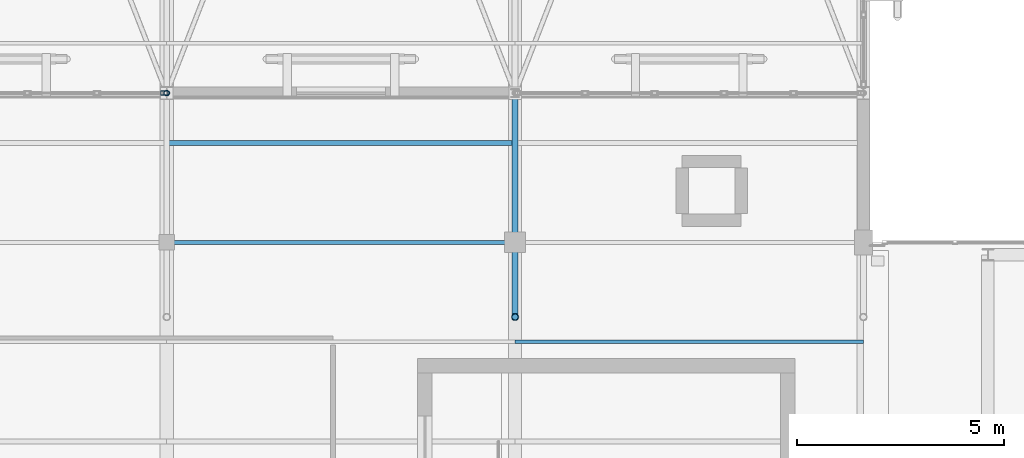
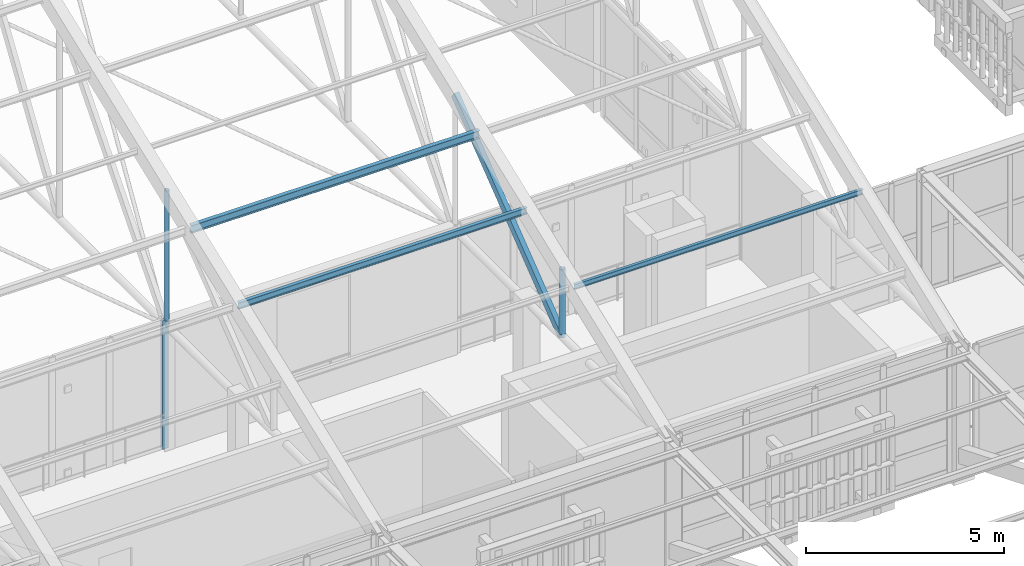
# One storey, part 100 of 217: 7 members, 1 element without a shape of its own.
"""IFC4 building model written with IfcOpenShell, lengths in metres."""

from ifc_helpers import new_model, si_unit, direction, frame, origin, origin_2d, place, context, subcontext, project, spatial, hollow_rectangle, hollow_circle, i_section, extrude, material, layer, layer_set, material_profile, profile_set, type_object, element, aggregate, save


model = new_model("IFC4")

# Units and contexts
model_context = context("Model", 3, precision=1e-05, world=origin(), true_north=direction((0.0, 1.0)))
body_context = subcontext(model_context, "Body", "Model", "MODEL_VIEW")
ifc_project = project(units=[si_unit("LENGTHUNIT", "METRE"), si_unit("AREAUNIT", "SQUARE_METRE"), si_unit("VOLUMEUNIT", "CUBIC_METRE"), si_unit("PLANEANGLEUNIT", "RADIAN"), si_unit("MASSUNIT", "GRAM", prefix="KILO")], contexts=[model_context])

# Site, building, storey
site_placement = place(None, origin())
site = spatial("IfcSite", under=ifc_project, at=site_placement, CompositionType="ELEMENT")
building_placement = place(site_placement, origin())
building = spatial("IfcBuilding", under=site, at=building_placement, Name="Mazaris Harbour Polytechnic", CompositionType="ELEMENT")
storey_placement = place(building_placement, frame((0.0, 0.0, 9.60009765625)))
storey = spatial("IfcBuildingStorey", under=building, at=storey_placement, Name="L02", CompositionType="ELEMENT", Elevation=9.60009765625)

# Curtain wall, member
ifc_material_1 = material(Name="Anodised Bronze Aluminium and Low-E Glass", Category="aluminium")
ifc_layer = layer(ifc_material_1, 0.14990234375, Name="Anodised Bronze Aluminium and Low-E Glass")
ifc_layer_set = layer_set([ifc_layer], Name="Anodised Bronze Aluminium and Low-E Glass")
curtain_wall_type = type_object("IfcCurtainWallType", Name="Workshop Clerestory Curtain Wall", PredefinedType="NOTDEFINED", material=ifc_layer_set)
curtain_wall_placement = place(storey_placement, origin())
curtain_wall = element("IfcCurtainWall", 1, at=curtain_wall_placement, inside=storey, type_object=curtain_wall_type, Name="V1 L02 Curtain Wall 31", PredefinedType="NOTDEFINED")
ifc_material_2 = material(Name="Anodised Bronze Steel S355", Category="steel")
ifc_material_profile_1 = material_profile(ifc_material_2, hollow_rectangle(XDim=0.10009765625, YDim=0.179931640625, WallThickness=0.008056640625, at=origin_2d()), Name="RHS 100x180x8.0")
ifc_profile_set_1 = profile_set([ifc_material_profile_1], Name="Anodised Bronze Steel S355")
member_type_1 = type_object("IfcMemberType", Name="Curtain Mullion RHS100x180", PredefinedType="MULLION", material=ifc_profile_set_1)
member_1_placement = place(storey_placement, frame((95.94189453125, 86.39990234375, 0.0), z_axis=(0.0, 0.0, 1.0), x_axis=(0.0, 1.0, 0.0)))
member_1 = element("IfcMember", 2, at=member_1_placement, type_object=member_type_1, Name="CW-04 mullion 6", PredefinedType="MULLION", context=body_context, shape_type="SweptSolid", body=[
    extrude(hollow_rectangle(XDim=0.10009765625, YDim=0.179931640625, WallThickness=0.008056640625, at=origin_2d()), origin(), (0.0, 0.0, 1.0), 3.9599609375),
])
aggregate(curtain_wall, [member_1])

# Members
ifc_material_3 = material(Name="Steel S355", Category="steel")
ifc_material_profile_2 = material_profile(ifc_material_3, i_section(OverallWidth=0.08203125, OverallDepth=0.159912109375, WebThickness=0.0048828125, FlangeThickness=0.00732421875, FilletRadius=0.009033203125, at=origin_2d()), Name="IPE 160")
ifc_profile_set_2 = profile_set([ifc_material_profile_2], Name="Steel S355")
member_type_2 = type_object("IfcMemberType", Name="Steel Purlin IPE160", PredefinedType="PURLIN", material=ifc_profile_set_2)
member_2_placement = place(storey_placement, frame((104.39990234375, 80.39990234375, 5.637939453125), z_axis=(1.0, 0.0, 0.0), x_axis=(0.0, 1.0, 0.0)))
element("IfcMember", 3, at=member_2_placement, inside=storey, type_object=member_type_2, Name="V1 Roof Purlin S-132", PredefinedType="PURLIN", context=body_context, shape_type="SweptSolid", body=[
    extrude(i_section(OverallWidth=0.08203125, OverallDepth=0.159912109375, WebThickness=0.0048828125, FlangeThickness=0.00732421875, FilletRadius=0.009033203125, at=origin_2d()), origin(), (0.0, 0.0, 1.0), 8.400146484375),
])
ifc_material_4 = material(Name="Steel S355", Category="steel")
ifc_material_profile_3 = material_profile(ifc_material_4, i_section(OverallWidth=0.10009765625, OverallDepth=0.199951171875, WebThickness=0.005615234375, FlangeThickness=0.008544921875, FilletRadius=0.011962890625, at=origin_2d()), Name="IPE 200")
ifc_profile_set_3 = profile_set([ifc_material_profile_3], Name="Steel S355")
member_type_3 = type_object("IfcMemberType", Name="Steel Purlin IPE200", PredefinedType="PURLIN", material=ifc_profile_set_3)
member_3_placement = place(storey_placement, frame((96.0, 82.800048828125, 6.544921875), z_axis=(1.0, 0.0, 0.0), x_axis=(0.0, 1.0, 0.0)))
element("IfcMember", 4, at=member_3_placement, inside=storey, type_object=member_type_3, Name="V1 Roof Purlin S-112", PredefinedType="PURLIN", context=body_context, shape_type="SweptSolid", body=[
    extrude(i_section(OverallWidth=0.10009765625, OverallDepth=0.199951171875, WebThickness=0.005615234375, FlangeThickness=0.008544921875, FilletRadius=0.011962890625, at=origin_2d()), origin(), (0.0, 0.0, 1.0), 8.39990234375),
])
ifc_material_5 = material(Name="Steel S355", Category="steel")
ifc_material_profile_4 = material_profile(ifc_material_5, i_section(OverallWidth=0.1201171875, OverallDepth=0.239990234375, WebThickness=0.006103515625, FlangeThickness=0.009765625, FilletRadius=0.014892578125, at=origin_2d()), Name="IPE 240")
ifc_profile_set_4 = profile_set([ifc_material_profile_4], Name="Steel S355")
member_type_4 = type_object("IfcMemberType", Name="Steel Purlin IPE240", PredefinedType="PURLIN", material=ifc_profile_set_4)
member_4_placement = place(storey_placement, frame((96.0, 85.199951171875, 7.451171875), z_axis=(1.0, 0.0, 0.0), x_axis=(0.0, 1.0, 0.0)))
element("IfcMember", 5, at=member_4_placement, inside=storey, type_object=member_type_4, Name="V1 Roof Purlin S-113", PredefinedType="PURLIN", context=body_context, shape_type="SweptSolid", body=[
    extrude(i_section(OverallWidth=0.1201171875, OverallDepth=0.239990234375, WebThickness=0.006103515625, FlangeThickness=0.009765625, FilletRadius=0.014892578125, at=origin_2d()), origin(), (0.0, 0.0, 1.0), 8.39990234375),
])
ifc_material_6 = material(Name="Steel S355", Category="steel")
ifc_material_profile_5 = material_profile(ifc_material_6, hollow_rectangle(XDim=0.139892578125, YDim=0.239990234375, WallThickness=0.010009765625, at=origin_2d()), Name="RHS 140x240x10.0")
ifc_profile_set_5 = profile_set([ifc_material_profile_5], Name="Steel S355")
member_type_5 = type_object("IfcMemberType", Name="Steel Truss Diagonal RHS140x240", PredefinedType="BRACE", material=ifc_profile_set_5)
member_5_placement = place(storey_placement, frame((104.39990234375, 81.0, 3.75), z_axis=(0.0, 0.791132369746, 0.611644973445), x_axis=(-1.0, 0.0, 0.0)))
element("IfcMember", 6, at=member_5_placement, inside=storey, type_object=member_type_5, Name="Truss 7 Web Diagonal S2", PredefinedType="BRACE", context=body_context, shape_type="SweptSolid", body=[
    extrude(hollow_rectangle(XDim=0.139892578125, YDim=0.239990234375, WallThickness=0.010009765625, at=origin_2d()), origin(), (0.0, 0.0, 1.0), 6.825439453125),
])
ifc_material_7 = material(Name="Steel S355", Category="steel")
ifc_material_profile_6 = material_profile(ifc_material_7, hollow_circle(Radius=0.06982421875, WallThickness=0.008056640625, at=origin_2d()), Name="CHS 139.7x8.0")
ifc_profile_set_6 = profile_set([ifc_material_profile_6], Name="Steel S355")
member_type_6 = type_object("IfcMemberType", Name="Steel Truss Strut CHS139", PredefinedType="STRUT", material=ifc_profile_set_6)
member_6_placement = place(storey_placement, frame((96.0, 86.39990234375, 3.75), z_axis=(0.0, 0.0, 1.0), x_axis=(1.0, 0.0, 0.0)))
element("IfcMember", 7, at=member_6_placement, inside=storey, type_object=member_type_6, Name="Truss 6 Web Post S2", PredefinedType="STRUT", context=body_context, shape_type="SweptSolid", body=[
    extrude(hollow_circle(Radius=0.06982421875, WallThickness=0.008056640625, at=origin_2d()), origin(), (0.0, 0.0, 1.0), 4.1748046875),
])
ifc_material_8 = material(Name="Steel S355", Category="steel")
ifc_material_profile_7 = material_profile(ifc_material_8, hollow_circle(Radius=0.084228515625, WallThickness=0.008056640625, at=origin_2d()), Name="CHS 168.3x8.0")
ifc_profile_set_7 = profile_set([ifc_material_profile_7], Name="Steel S355")
member_type_7 = type_object("IfcMemberType", Name="Steel Truss Strut CHS168", PredefinedType="STRUT", material=ifc_profile_set_7)
member_7_placement = place(storey_placement, frame((104.39990234375, 81.0, 3.75), z_axis=(0.0, 0.0, 1.0), x_axis=(1.0, 0.0, 0.0)))
element("IfcMember", 8, at=member_7_placement, inside=storey, type_object=member_type_7, Name="Truss 7 Web Post S1", PredefinedType="STRUT", context=body_context, shape_type="SweptSolid", body=[
    extrude(hollow_circle(Radius=0.084228515625, WallThickness=0.008056640625, at=origin_2d()), origin(), (0.0, 0.0, 1.0), 2.08740234375),
])

save(model, "model.ifc")
